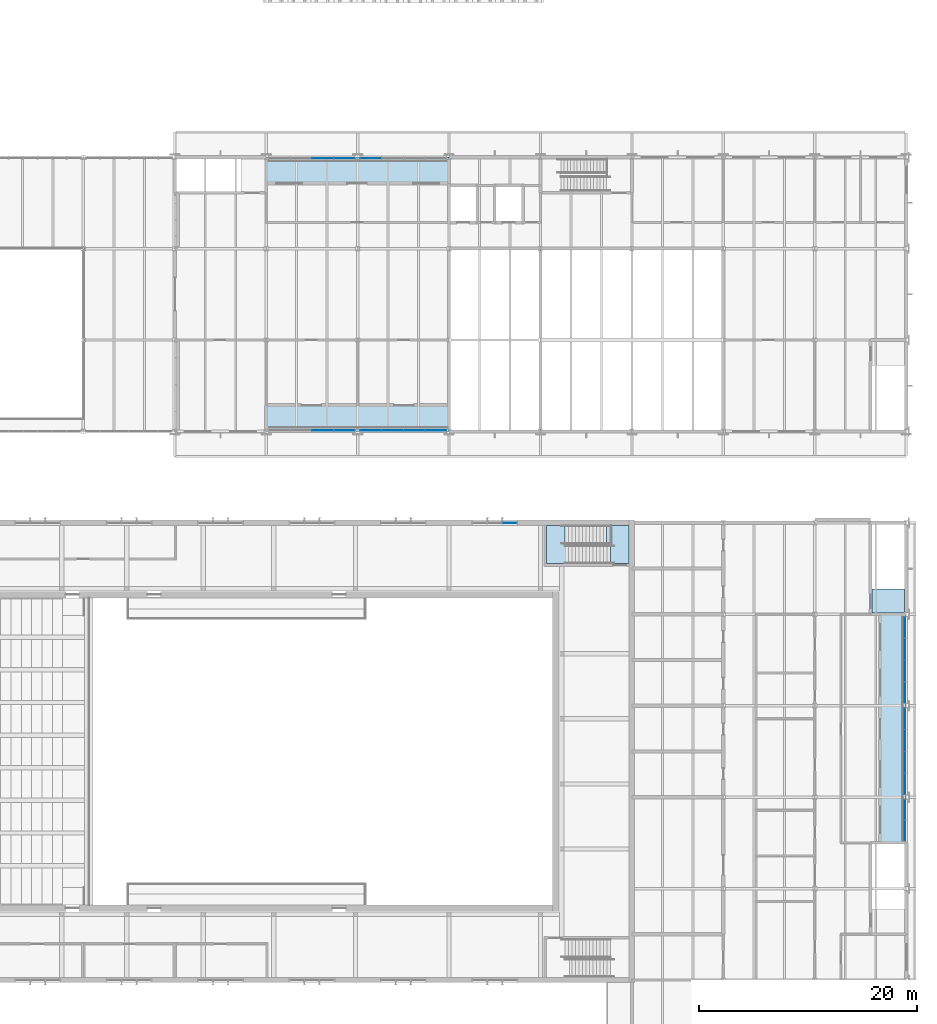
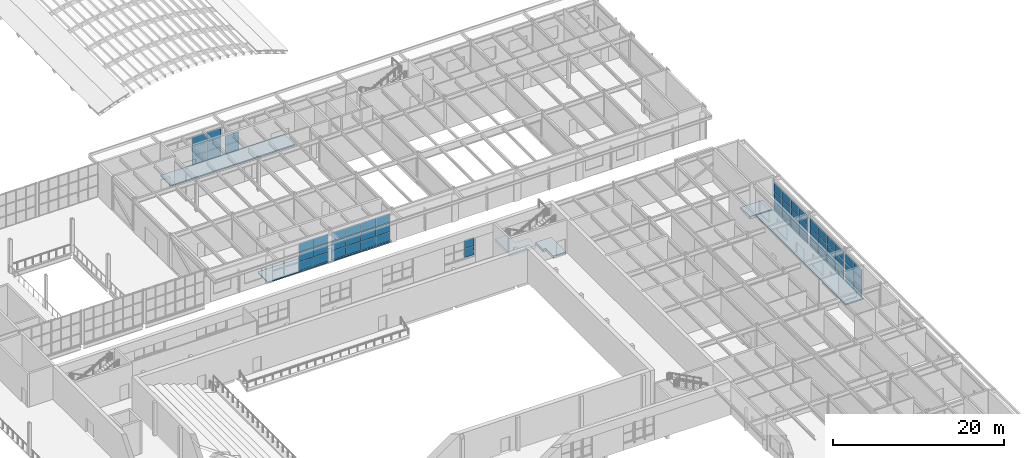
# One storey, part 64 of 116: 58 plates, 6 slabs, 9 elements without a shape of their own.
"""IFC4 building model written with IfcOpenShell, lengths in metres."""

from ifc_helpers import new_model, si_unit, direction, frame, origin, origin_2d, place, context, subcontext, project, spatial, polyline, rectangle, outline, extrude, material, layer, layer_set, type_object, element, aggregate, save


model = new_model("IFC4")

# Units and contexts
model_context = context("Model", 3, precision=1e-05, world=origin(), true_north=direction((0.0, 1.0)))
body_context = subcontext(model_context, "Body", "Model", "MODEL_VIEW")
ifc_project = project(units=[si_unit("LENGTHUNIT", "METRE"), si_unit("AREAUNIT", "SQUARE_METRE"), si_unit("VOLUMEUNIT", "CUBIC_METRE"), si_unit("PLANEANGLEUNIT", "RADIAN"), si_unit("MASSUNIT", "GRAM", prefix="KILO")], contexts=[model_context])

# Site, building, storey
site_placement = place(None, origin())
site = spatial("IfcSite", under=ifc_project, at=site_placement, CompositionType="ELEMENT")
building_placement = place(site_placement, origin())
building = spatial("IfcBuilding", under=site, at=building_placement, Name="Ljudholm Concert House", CompositionType="ELEMENT")
storey_placement = place(building_placement, frame((0.0, 0.0, 10.199951171875)))
storey = spatial("IfcBuildingStorey", under=building, at=storey_placement, Name="L02", CompositionType="ELEMENT", Elevation=10.199951171875)

# Slabs
ifc_material_1 = material(Name="Concrete 5,000 psi", Category="concrete")
ifc_layer_1 = layer(ifc_material_1, 0.179931640625)
ifc_layer_set_1 = layer_set([ifc_layer_1], Name="Concrete 5,000 psi")
slab_type_1 = type_object("IfcSlabType", Name="COMPOSITE FLOOR SLAB 180 EXTERNAL", PredefinedType="FLOOR", material=ifc_layer_set_1)
slab_1_placement = place(storey_placement, frame((0.0, 0.0, -0.179931640625)))
element("IfcSlab", 1, at=slab_1_placement, inside=storey, type_object=slab_type_1, Name="Loggia floor slab", PredefinedType="FLOOR", context=body_context, shape_type="SweptSolid", body=[
    extrude(outline(polyline([(119.199951171875, 67.0), (121.60009765625, 67.0), (121.60009765625, 88.0), (119.199951171875, 88.0), (119.199951171875, 67.0)])), origin(), (0.0, 0.0, 1.0), 0.179931640625),
])
slab_2_placement = place(storey_placement, frame((0.0, 0.0, -0.179931640625)))
element("IfcSlab", 2, at=slab_2_placement, inside=storey, type_object=slab_type_1, Name="Loggia floor slab", PredefinedType="FLOOR", context=body_context, shape_type="SweptSolid", body=[
    extrude(outline(polyline([(62.800048828125, 104.800048828125), (79.60009765625, 104.800048828125), (79.60009765625, 107.199951171875), (62.800048828125, 107.199951171875), (62.800048828125, 104.800048828125)])), origin(), (0.0, 0.0, 1.0), 0.179931640625),
])
slab_3_placement = place(storey_placement, frame((0.0, 0.0, -0.179931640625)))
element("IfcSlab", 3, at=slab_3_placement, inside=storey, type_object=slab_type_1, Name="Loggia floor slab", PredefinedType="FLOOR", context=body_context, shape_type="SweptSolid", body=[
    extrude(outline(polyline([(62.800048828125, 127.60009765625), (79.60009765625, 127.60009765625), (79.60009765625, 130.0), (62.800048828125, 130.0), (62.800048828125, 127.60009765625)])), origin(), (0.0, 0.0, 1.0), 0.179931640625),
])

# Curtain wall, plates
ifc_material_2 = material(Name="Aluminium curtain wall with impact-rated laminated glass", Category="aluminium")
curtain_wall_type_1 = type_object("IfcCurtainWallType", Name="CURTAIN WALL 1400", PredefinedType="NOTDEFINED", material=ifc_material_2)
curtain_wall_1_placement = place(storey_placement, origin())
curtain_wall_1 = element("IfcCurtainWall", 4, at=curtain_wall_1_placement, inside=storey, type_object=curtain_wall_type_1, Name="Promenade curtain wall", PredefinedType="NOTDEFINED")
ifc_material_3 = material(Name="Impact-rated laminated glass", Category="glass")
ifc_layer_2 = layer(ifc_material_3, 0.028076171875)
ifc_layer_set_2 = layer_set([ifc_layer_2], Name="Impact-rated laminated glass")
plate_type_1 = type_object("IfcPlateType", Name="CURTAIN PANEL 28", PredefinedType="CURTAIN_PANEL", material=ifc_layer_set_2)
plate_1_placement = place(storey_placement, frame((85.1650390625, 96.39990234375, 0.9599609375), z_axis=(0.0, 0.0, 1.0), x_axis=(1.0, 0.0, 0.0)))
plate_1 = element("IfcPlate", 5, at=plate_1_placement, type_object=plate_type_1, Name="Curtain wall panel", PredefinedType="CURTAIN_PANEL", context=body_context, shape_type="SweptSolid", body=[
    extrude(rectangle(XDim=1.2900390625, YDim=0.028076171875, at=origin_2d()), origin(), (0.0, 0.0, 1.0), 1.2099609375),
])
plate_2_placement = place(storey_placement, frame((85.1650390625, 96.39990234375, 2.22998046875), z_axis=(0.0, 0.0, 1.0), x_axis=(1.0, 0.0, 0.0)))
plate_2 = element("IfcPlate", 6, at=plate_2_placement, type_object=plate_type_1, Name="Curtain wall panel", PredefinedType="CURTAIN_PANEL", context=body_context, shape_type="SweptSolid", body=[
    extrude(rectangle(XDim=1.2900390625, YDim=0.028076171875, at=origin_2d()), origin(), (0.0, 0.0, 1.0), 1.2099609375),
])
aggregate(curtain_wall_1, [plate_1, plate_2])

ifc_material_4 = material(Name="Aluminium curtain wall with fixed aluminium storm louvre blades, timber-grain finish", Category="aluminium")
curtain_wall_type_2 = type_object("IfcCurtainWallType", Name="CURTAIN WALL 2000", PredefinedType="NOTDEFINED", material=ifc_material_4)
curtain_wall_2_placement = place(storey_placement, origin())
curtain_wall_2 = element("IfcCurtainWall", 7, at=curtain_wall_2_placement, inside=storey, type_object=curtain_wall_type_2, Name="Storm louvre screen", PredefinedType="NOTDEFINED")
ifc_material_5 = material(Name="Fixed aluminium storm louvre blades, timber-grain finish", Category="aluminium")
ifc_layer_3 = layer(ifc_material_5, 0.030029296875)
ifc_layer_set_3 = layer_set([ifc_layer_3], Name="Fixed aluminium storm louvre blades, timber-grain finish")
plate_type_2 = type_object("IfcPlateType", Name="CURTAIN PANEL 30", PredefinedType="CURTAIN_PANEL", material=ifc_layer_set_3)
plate_3_placement = place(storey_placement, frame((121.5, 68.1298828125, 0.06005859375), z_axis=(0.0, 0.0, 1.0), x_axis=(0.0, 1.0, 0.0)))
plate_3 = element("IfcPlate", 8, at=plate_3_placement, type_object=plate_type_2, Name="Curtain wall panel", PredefinedType="CURTAIN_PANEL", context=body_context, shape_type="SweptSolid", body=[
    extrude(rectangle(XDim=1.840087890625, YDim=0.030029296875, at=origin_2d()), origin(), (0.0, 0.0, 1.0), 1.272216796875),
])
plate_4_placement = place(storey_placement, frame((121.5, 68.1298828125, 1.392333984375), z_axis=(0.0, 0.0, 1.0), x_axis=(0.0, 1.0, 0.0)))
plate_4 = element("IfcPlate", 9, at=plate_4_placement, type_object=plate_type_2, Name="Curtain wall panel", PredefinedType="CURTAIN_PANEL", context=body_context, shape_type="SweptSolid", body=[
    extrude(rectangle(XDim=1.840087890625, YDim=0.030029296875, at=origin_2d()), origin(), (0.0, 0.0, 1.0), 1.30224609375),
])
plate_5_placement = place(storey_placement, frame((121.5, 68.1298828125, 2.75439453125), z_axis=(0.0, 0.0, 1.0), x_axis=(0.0, 1.0, 0.0)))
plate_5 = element("IfcPlate", 10, at=plate_5_placement, type_object=plate_type_2, Name="Curtain wall panel", PredefinedType="CURTAIN_PANEL", context=body_context, shape_type="SweptSolid", body=[
    extrude(rectangle(XDim=1.840087890625, YDim=0.030029296875, at=origin_2d()), origin(), (0.0, 0.0, 1.0), 1.272216796875),
])
plate_6_placement = place(storey_placement, frame((121.5, 70.030029296875, 0.06005859375), z_axis=(0.0, 0.0, 1.0), x_axis=(0.0, 1.0, 0.0)))
plate_6 = element("IfcPlate", 11, at=plate_6_placement, type_object=plate_type_2, Name="Curtain wall panel", PredefinedType="CURTAIN_PANEL", context=body_context, shape_type="SweptSolid", body=[
    extrude(rectangle(XDim=1.840087890625, YDim=0.030029296875, at=origin_2d()), origin(), (0.0, 0.0, 1.0), 1.272216796875),
])
plate_7_placement = place(storey_placement, frame((121.5, 70.030029296875, 1.392333984375), z_axis=(0.0, 0.0, 1.0), x_axis=(0.0, 1.0, 0.0)))
plate_7 = element("IfcPlate", 12, at=plate_7_placement, type_object=plate_type_2, Name="Curtain wall panel", PredefinedType="CURTAIN_PANEL", context=body_context, shape_type="SweptSolid", body=[
    extrude(rectangle(XDim=1.840087890625, YDim=0.030029296875, at=origin_2d()), origin(), (0.0, 0.0, 1.0), 1.30224609375),
])
plate_8_placement = place(storey_placement, frame((121.5, 70.030029296875, 2.75439453125), z_axis=(0.0, 0.0, 1.0), x_axis=(0.0, 1.0, 0.0)))
plate_8 = element("IfcPlate", 13, at=plate_8_placement, type_object=plate_type_2, Name="Curtain wall panel", PredefinedType="CURTAIN_PANEL", context=body_context, shape_type="SweptSolid", body=[
    extrude(rectangle(XDim=1.840087890625, YDim=0.030029296875, at=origin_2d()), origin(), (0.0, 0.0, 1.0), 1.272216796875),
])
aggregate(curtain_wall_2, [plate_3, plate_4, plate_5, plate_6, plate_7, plate_8])

curtain_wall_3_placement = place(storey_placement, origin())
curtain_wall_3 = element("IfcCurtainWall", 14, at=curtain_wall_3_placement, inside=storey, type_object=curtain_wall_type_2, Name="Storm louvre screen", PredefinedType="NOTDEFINED")
plate_9_placement = place(storey_placement, frame((121.5, 72.407470703125, 0.06005859375), z_axis=(0.0, 0.0, 1.0), x_axis=(0.0, 1.0, 0.0)))
plate_9 = element("IfcPlate", 15, at=plate_9_placement, type_object=plate_type_2, Name="Curtain wall panel", PredefinedType="CURTAIN_PANEL", context=body_context, shape_type="SweptSolid", body=[
    extrude(rectangle(XDim=1.9150390625, YDim=0.030029296875, at=origin_2d()), origin(), (0.0, 0.0, 1.0), 1.272216796875),
])
plate_10_placement = place(storey_placement, frame((121.5, 72.407470703125, 1.392333984375), z_axis=(0.0, 0.0, 1.0), x_axis=(0.0, 1.0, 0.0)))
plate_10 = element("IfcPlate", 16, at=plate_10_placement, type_object=plate_type_2, Name="Curtain wall panel", PredefinedType="CURTAIN_PANEL", context=body_context, shape_type="SweptSolid", body=[
    extrude(rectangle(XDim=1.9150390625, YDim=0.030029296875, at=origin_2d()), origin(), (0.0, 0.0, 1.0), 1.30224609375),
])
plate_11_placement = place(storey_placement, frame((121.5, 72.407470703125, 2.75439453125), z_axis=(0.0, 0.0, 1.0), x_axis=(0.0, 1.0, 0.0)))
plate_11 = element("IfcPlate", 17, at=plate_11_placement, type_object=plate_type_2, Name="Curtain wall panel", PredefinedType="CURTAIN_PANEL", context=body_context, shape_type="SweptSolid", body=[
    extrude(rectangle(XDim=1.9150390625, YDim=0.030029296875, at=origin_2d()), origin(), (0.0, 0.0, 1.0), 1.272216796875),
])
plate_12_placement = place(storey_placement, frame((121.5, 74.3974609375, 0.06005859375), z_axis=(0.0, 0.0, 1.0), x_axis=(0.0, 1.0, 0.0)))
plate_12 = element("IfcPlate", 18, at=plate_12_placement, type_object=plate_type_2, Name="Curtain wall panel", PredefinedType="CURTAIN_PANEL", context=body_context, shape_type="SweptSolid", body=[
    extrude(rectangle(XDim=1.945068359375, YDim=0.030029296875, at=origin_2d()), origin(), (0.0, 0.0, 1.0), 1.272216796875),
])
plate_13_placement = place(storey_placement, frame((121.5, 74.3974609375, 1.392333984375), z_axis=(0.0, 0.0, 1.0), x_axis=(0.0, 1.0, 0.0)))
plate_13 = element("IfcPlate", 19, at=plate_13_placement, type_object=plate_type_2, Name="Curtain wall panel", PredefinedType="CURTAIN_PANEL", context=body_context, shape_type="SweptSolid", body=[
    extrude(rectangle(XDim=1.945068359375, YDim=0.030029296875, at=origin_2d()), origin(), (0.0, 0.0, 1.0), 1.30224609375),
])
plate_14_placement = place(storey_placement, frame((121.5, 74.3974609375, 2.75439453125), z_axis=(0.0, 0.0, 1.0), x_axis=(0.0, 1.0, 0.0)))
plate_14 = element("IfcPlate", 20, at=plate_14_placement, type_object=plate_type_2, Name="Curtain wall panel", PredefinedType="CURTAIN_PANEL", context=body_context, shape_type="SweptSolid", body=[
    extrude(rectangle(XDim=1.945068359375, YDim=0.030029296875, at=origin_2d()), origin(), (0.0, 0.0, 1.0), 1.272216796875),
])
plate_15_placement = place(storey_placement, frame((121.5, 76.402587890625, 0.06005859375), z_axis=(0.0, 0.0, 1.0), x_axis=(0.0, 1.0, 0.0)))
plate_15 = element("IfcPlate", 21, at=plate_15_placement, type_object=plate_type_2, Name="Curtain wall panel", PredefinedType="CURTAIN_PANEL", context=body_context, shape_type="SweptSolid", body=[
    extrude(rectangle(XDim=1.945068359375, YDim=0.030029296875, at=origin_2d()), origin(), (0.0, 0.0, 1.0), 1.272216796875),
])
plate_16_placement = place(storey_placement, frame((121.5, 76.402587890625, 1.392333984375), z_axis=(0.0, 0.0, 1.0), x_axis=(0.0, 1.0, 0.0)))
plate_16 = element("IfcPlate", 22, at=plate_16_placement, type_object=plate_type_2, Name="Curtain wall panel", PredefinedType="CURTAIN_PANEL", context=body_context, shape_type="SweptSolid", body=[
    extrude(rectangle(XDim=1.945068359375, YDim=0.030029296875, at=origin_2d()), origin(), (0.0, 0.0, 1.0), 1.30224609375),
])
plate_17_placement = place(storey_placement, frame((121.5, 76.402587890625, 2.75439453125), z_axis=(0.0, 0.0, 1.0), x_axis=(0.0, 1.0, 0.0)))
plate_17 = element("IfcPlate", 23, at=plate_17_placement, type_object=plate_type_2, Name="Curtain wall panel", PredefinedType="CURTAIN_PANEL", context=body_context, shape_type="SweptSolid", body=[
    extrude(rectangle(XDim=1.945068359375, YDim=0.030029296875, at=origin_2d()), origin(), (0.0, 0.0, 1.0), 1.272216796875),
])
plate_18_placement = place(storey_placement, frame((121.5, 78.392578125, 0.06005859375), z_axis=(0.0, 0.0, 1.0), x_axis=(0.0, 1.0, 0.0)))
plate_18 = element("IfcPlate", 24, at=plate_18_placement, type_object=plate_type_2, Name="Curtain wall panel", PredefinedType="CURTAIN_PANEL", context=body_context, shape_type="SweptSolid", body=[
    extrude(rectangle(XDim=1.9150390625, YDim=0.030029296875, at=origin_2d()), origin(), (0.0, 0.0, 1.0), 1.272216796875),
])
plate_19_placement = place(storey_placement, frame((121.5, 78.392578125, 1.392333984375), z_axis=(0.0, 0.0, 1.0), x_axis=(0.0, 1.0, 0.0)))
plate_19 = element("IfcPlate", 25, at=plate_19_placement, type_object=plate_type_2, Name="Curtain wall panel", PredefinedType="CURTAIN_PANEL", context=body_context, shape_type="SweptSolid", body=[
    extrude(rectangle(XDim=1.9150390625, YDim=0.030029296875, at=origin_2d()), origin(), (0.0, 0.0, 1.0), 1.30224609375),
])
plate_20_placement = place(storey_placement, frame((121.5, 78.392578125, 2.75439453125), z_axis=(0.0, 0.0, 1.0), x_axis=(0.0, 1.0, 0.0)))
plate_20 = element("IfcPlate", 26, at=plate_20_placement, type_object=plate_type_2, Name="Curtain wall panel", PredefinedType="CURTAIN_PANEL", context=body_context, shape_type="SweptSolid", body=[
    extrude(rectangle(XDim=1.9150390625, YDim=0.030029296875, at=origin_2d()), origin(), (0.0, 0.0, 1.0), 1.272216796875),
])
aggregate(curtain_wall_3, [plate_9, plate_10, plate_11, plate_12, plate_13, plate_14, plate_15, plate_16, plate_17, plate_18, plate_19, plate_20])

curtain_wall_4_placement = place(storey_placement, origin())
curtain_wall_4 = element("IfcCurtainWall", 27, at=curtain_wall_4_placement, inside=storey, type_object=curtain_wall_type_2, Name="Storm louvre screen", PredefinedType="NOTDEFINED")
plate_21_placement = place(storey_placement, frame((121.5, 80.8076171875, 0.06005859375), z_axis=(0.0, 0.0, 1.0), x_axis=(0.0, 1.0, 0.0)))
plate_21 = element("IfcPlate", 28, at=plate_21_placement, type_object=plate_type_2, Name="Curtain wall panel", PredefinedType="CURTAIN_PANEL", context=body_context, shape_type="SweptSolid", body=[
    extrude(rectangle(XDim=1.9150390625, YDim=0.030029296875, at=origin_2d()), origin(), (0.0, 0.0, 1.0), 1.272216796875),
])
plate_22_placement = place(storey_placement, frame((121.5, 80.8076171875, 1.392333984375), z_axis=(0.0, 0.0, 1.0), x_axis=(0.0, 1.0, 0.0)))
plate_22 = element("IfcPlate", 29, at=plate_22_placement, type_object=plate_type_2, Name="Curtain wall panel", PredefinedType="CURTAIN_PANEL", context=body_context, shape_type="SweptSolid", body=[
    extrude(rectangle(XDim=1.9150390625, YDim=0.030029296875, at=origin_2d()), origin(), (0.0, 0.0, 1.0), 1.30224609375),
])
plate_23_placement = place(storey_placement, frame((121.5, 80.8076171875, 2.75439453125), z_axis=(0.0, 0.0, 1.0), x_axis=(0.0, 1.0, 0.0)))
plate_23 = element("IfcPlate", 30, at=plate_23_placement, type_object=plate_type_2, Name="Curtain wall panel", PredefinedType="CURTAIN_PANEL", context=body_context, shape_type="SweptSolid", body=[
    extrude(rectangle(XDim=1.9150390625, YDim=0.030029296875, at=origin_2d()), origin(), (0.0, 0.0, 1.0), 1.272216796875),
])
plate_24_placement = place(storey_placement, frame((121.5, 82.797607421875, 0.06005859375), z_axis=(0.0, 0.0, 1.0), x_axis=(0.0, 1.0, 0.0)))
plate_24 = element("IfcPlate", 31, at=plate_24_placement, type_object=plate_type_2, Name="Curtain wall panel", PredefinedType="CURTAIN_PANEL", context=body_context, shape_type="SweptSolid", body=[
    extrude(rectangle(XDim=1.945068359375, YDim=0.030029296875, at=origin_2d()), origin(), (0.0, 0.0, 1.0), 1.272216796875),
])
plate_25_placement = place(storey_placement, frame((121.5, 82.797607421875, 1.392333984375), z_axis=(0.0, 0.0, 1.0), x_axis=(0.0, 1.0, 0.0)))
plate_25 = element("IfcPlate", 32, at=plate_25_placement, type_object=plate_type_2, Name="Curtain wall panel", PredefinedType="CURTAIN_PANEL", context=body_context, shape_type="SweptSolid", body=[
    extrude(rectangle(XDim=1.945068359375, YDim=0.030029296875, at=origin_2d()), origin(), (0.0, 0.0, 1.0), 1.30224609375),
])
plate_26_placement = place(storey_placement, frame((121.5, 82.797607421875, 2.75439453125), z_axis=(0.0, 0.0, 1.0), x_axis=(0.0, 1.0, 0.0)))
plate_26 = element("IfcPlate", 33, at=plate_26_placement, type_object=plate_type_2, Name="Curtain wall panel", PredefinedType="CURTAIN_PANEL", context=body_context, shape_type="SweptSolid", body=[
    extrude(rectangle(XDim=1.945068359375, YDim=0.030029296875, at=origin_2d()), origin(), (0.0, 0.0, 1.0), 1.272216796875),
])
plate_27_placement = place(storey_placement, frame((121.5, 84.802490234375, 0.06005859375), z_axis=(0.0, 0.0, 1.0), x_axis=(0.0, 1.0, 0.0)))
plate_27 = element("IfcPlate", 34, at=plate_27_placement, type_object=plate_type_2, Name="Curtain wall panel", PredefinedType="CURTAIN_PANEL", context=body_context, shape_type="SweptSolid", body=[
    extrude(rectangle(XDim=1.945068359375, YDim=0.030029296875, at=origin_2d()), origin(), (0.0, 0.0, 1.0), 1.272216796875),
])
plate_28_placement = place(storey_placement, frame((121.5, 84.802490234375, 1.392333984375), z_axis=(0.0, 0.0, 1.0), x_axis=(0.0, 1.0, 0.0)))
plate_28 = element("IfcPlate", 35, at=plate_28_placement, type_object=plate_type_2, Name="Curtain wall panel", PredefinedType="CURTAIN_PANEL", context=body_context, shape_type="SweptSolid", body=[
    extrude(rectangle(XDim=1.945068359375, YDim=0.030029296875, at=origin_2d()), origin(), (0.0, 0.0, 1.0), 1.30224609375),
])
plate_29_placement = place(storey_placement, frame((121.5, 84.802490234375, 2.75439453125), z_axis=(0.0, 0.0, 1.0), x_axis=(0.0, 1.0, 0.0)))
plate_29 = element("IfcPlate", 36, at=plate_29_placement, type_object=plate_type_2, Name="Curtain wall panel", PredefinedType="CURTAIN_PANEL", context=body_context, shape_type="SweptSolid", body=[
    extrude(rectangle(XDim=1.945068359375, YDim=0.030029296875, at=origin_2d()), origin(), (0.0, 0.0, 1.0), 1.272216796875),
])
plate_30_placement = place(storey_placement, frame((121.5, 86.79248046875, 0.06005859375), z_axis=(0.0, 0.0, 1.0), x_axis=(0.0, 1.0, 0.0)))
plate_30 = element("IfcPlate", 37, at=plate_30_placement, type_object=plate_type_2, Name="Curtain wall panel", PredefinedType="CURTAIN_PANEL", context=body_context, shape_type="SweptSolid", body=[
    extrude(rectangle(XDim=1.9150390625, YDim=0.030029296875, at=origin_2d()), origin(), (0.0, 0.0, 1.0), 1.272216796875),
])
plate_31_placement = place(storey_placement, frame((121.5, 86.79248046875, 1.392333984375), z_axis=(0.0, 0.0, 1.0), x_axis=(0.0, 1.0, 0.0)))
plate_31 = element("IfcPlate", 38, at=plate_31_placement, type_object=plate_type_2, Name="Curtain wall panel", PredefinedType="CURTAIN_PANEL", context=body_context, shape_type="SweptSolid", body=[
    extrude(rectangle(XDim=1.9150390625, YDim=0.030029296875, at=origin_2d()), origin(), (0.0, 0.0, 1.0), 1.30224609375),
])
plate_32_placement = place(storey_placement, frame((121.5, 86.79248046875, 2.75439453125), z_axis=(0.0, 0.0, 1.0), x_axis=(0.0, 1.0, 0.0)))
plate_32 = element("IfcPlate", 39, at=plate_32_placement, type_object=plate_type_2, Name="Curtain wall panel", PredefinedType="CURTAIN_PANEL", context=body_context, shape_type="SweptSolid", body=[
    extrude(rectangle(XDim=1.9150390625, YDim=0.030029296875, at=origin_2d()), origin(), (0.0, 0.0, 1.0), 1.272216796875),
])
aggregate(curtain_wall_4, [plate_21, plate_22, plate_23, plate_24, plate_25, plate_26, plate_27, plate_28, plate_29, plate_30, plate_31, plate_32])

curtain_wall_5_placement = place(storey_placement, origin())
curtain_wall_5 = element("IfcCurtainWall", 40, at=curtain_wall_5_placement, inside=storey, type_object=curtain_wall_type_2, Name="Storm louvre screen", PredefinedType="NOTDEFINED")
plate_33_placement = place(storey_placement, frame((68.00244140625, 104.89990234375, 0.06005859375), z_axis=(0.0, 0.0, 1.0), x_axis=(1.0, 0.0, 0.0)))
plate_33 = element("IfcPlate", 41, at=plate_33_placement, type_object=plate_type_2, Name="Curtain wall panel", PredefinedType="CURTAIN_PANEL", context=body_context, shape_type="SweptSolid", body=[
    extrude(rectangle(XDim=1.945068359375, YDim=0.030029296875, at=origin_2d()), origin(), (0.0, 0.0, 1.0), 1.245849609375),
])
plate_34_placement = place(storey_placement, frame((68.00244140625, 104.89990234375, 1.365966796875), z_axis=(0.0, 0.0, 1.0), x_axis=(1.0, 0.0, 0.0)))
plate_34 = element("IfcPlate", 42, at=plate_34_placement, type_object=plate_type_2, Name="Curtain wall panel", PredefinedType="CURTAIN_PANEL", context=body_context, shape_type="SweptSolid", body=[
    extrude(rectangle(XDim=1.945068359375, YDim=0.030029296875, at=origin_2d()), origin(), (0.0, 0.0, 1.0), 1.27587890625),
])
plate_35_placement = place(storey_placement, frame((68.00244140625, 104.89990234375, 2.7021484375), z_axis=(0.0, 0.0, 1.0), x_axis=(1.0, 0.0, 0.0)))
plate_35 = element("IfcPlate", 43, at=plate_35_placement, type_object=plate_type_2, Name="Curtain wall panel", PredefinedType="CURTAIN_PANEL", context=body_context, shape_type="SweptSolid", body=[
    extrude(rectangle(XDim=1.945068359375, YDim=0.030029296875, at=origin_2d()), origin(), (0.0, 0.0, 1.0), 1.245849609375),
])
plate_36_placement = place(storey_placement, frame((69.992431640625, 104.89990234375, 0.06005859375), z_axis=(0.0, 0.0, 1.0), x_axis=(1.0, 0.0, 0.0)))
plate_36 = element("IfcPlate", 44, at=plate_36_placement, type_object=plate_type_2, Name="Curtain wall panel", PredefinedType="CURTAIN_PANEL", context=body_context, shape_type="SweptSolid", body=[
    extrude(rectangle(XDim=1.9150390625, YDim=0.030029296875, at=origin_2d()), origin(), (0.0, 0.0, 1.0), 1.245849609375),
])
plate_37_placement = place(storey_placement, frame((69.992431640625, 104.89990234375, 1.365966796875), z_axis=(0.0, 0.0, 1.0), x_axis=(1.0, 0.0, 0.0)))
plate_37 = element("IfcPlate", 45, at=plate_37_placement, type_object=plate_type_2, Name="Curtain wall panel", PredefinedType="CURTAIN_PANEL", context=body_context, shape_type="SweptSolid", body=[
    extrude(rectangle(XDim=1.9150390625, YDim=0.030029296875, at=origin_2d()), origin(), (0.0, 0.0, 1.0), 1.27587890625),
])
plate_38_placement = place(storey_placement, frame((69.992431640625, 104.89990234375, 2.7021484375), z_axis=(0.0, 0.0, 1.0), x_axis=(1.0, 0.0, 0.0)))
plate_38 = element("IfcPlate", 46, at=plate_38_placement, type_object=plate_type_2, Name="Curtain wall panel", PredefinedType="CURTAIN_PANEL", context=body_context, shape_type="SweptSolid", body=[
    extrude(rectangle(XDim=1.9150390625, YDim=0.030029296875, at=origin_2d()), origin(), (0.0, 0.0, 1.0), 1.245849609375),
])
aggregate(curtain_wall_5, [plate_33, plate_34, plate_35, plate_36, plate_37, plate_38])

curtain_wall_6_placement = place(storey_placement, origin())
curtain_wall_6 = element("IfcCurtainWall", 47, at=curtain_wall_6_placement, inside=storey, type_object=curtain_wall_type_2, Name="Storm louvre screen", PredefinedType="NOTDEFINED")
plate_39_placement = place(storey_placement, frame((72.407470703125, 104.89990234375, 0.06005859375), z_axis=(0.0, 0.0, 1.0), x_axis=(1.0, 0.0, 0.0)))
plate_39 = element("IfcPlate", 48, at=plate_39_placement, type_object=plate_type_2, Name="Curtain wall panel", PredefinedType="CURTAIN_PANEL", context=body_context, shape_type="SweptSolid", body=[
    extrude(rectangle(XDim=1.9150390625, YDim=0.030029296875, at=origin_2d()), origin(), (0.0, 0.0, 1.0), 1.245849609375),
])
plate_40_placement = place(storey_placement, frame((72.407470703125, 104.89990234375, 1.365966796875), z_axis=(0.0, 0.0, 1.0), x_axis=(1.0, 0.0, 0.0)))
plate_40 = element("IfcPlate", 49, at=plate_40_placement, type_object=plate_type_2, Name="Curtain wall panel", PredefinedType="CURTAIN_PANEL", context=body_context, shape_type="SweptSolid", body=[
    extrude(rectangle(XDim=1.9150390625, YDim=0.030029296875, at=origin_2d()), origin(), (0.0, 0.0, 1.0), 1.27587890625),
])
plate_41_placement = place(storey_placement, frame((72.407470703125, 104.89990234375, 2.7021484375), z_axis=(0.0, 0.0, 1.0), x_axis=(1.0, 0.0, 0.0)))
plate_41 = element("IfcPlate", 50, at=plate_41_placement, type_object=plate_type_2, Name="Curtain wall panel", PredefinedType="CURTAIN_PANEL", context=body_context, shape_type="SweptSolid", body=[
    extrude(rectangle(XDim=1.9150390625, YDim=0.030029296875, at=origin_2d()), origin(), (0.0, 0.0, 1.0), 1.245849609375),
])
plate_42_placement = place(storey_placement, frame((74.3974609375, 104.89990234375, 0.06005859375), z_axis=(0.0, 0.0, 1.0), x_axis=(1.0, 0.0, 0.0)))
plate_42 = element("IfcPlate", 51, at=plate_42_placement, type_object=plate_type_2, Name="Curtain wall panel", PredefinedType="CURTAIN_PANEL", context=body_context, shape_type="SweptSolid", body=[
    extrude(rectangle(XDim=1.945068359375, YDim=0.030029296875, at=origin_2d()), origin(), (0.0, 0.0, 1.0), 1.245849609375),
])
plate_43_placement = place(storey_placement, frame((74.3974609375, 104.89990234375, 1.365966796875), z_axis=(0.0, 0.0, 1.0), x_axis=(1.0, 0.0, 0.0)))
plate_43 = element("IfcPlate", 52, at=plate_43_placement, type_object=plate_type_2, Name="Curtain wall panel", PredefinedType="CURTAIN_PANEL", context=body_context, shape_type="SweptSolid", body=[
    extrude(rectangle(XDim=1.945068359375, YDim=0.030029296875, at=origin_2d()), origin(), (0.0, 0.0, 1.0), 1.27587890625),
])
plate_44_placement = place(storey_placement, frame((74.3974609375, 104.89990234375, 2.7021484375), z_axis=(0.0, 0.0, 1.0), x_axis=(1.0, 0.0, 0.0)))
plate_44 = element("IfcPlate", 53, at=plate_44_placement, type_object=plate_type_2, Name="Curtain wall panel", PredefinedType="CURTAIN_PANEL", context=body_context, shape_type="SweptSolid", body=[
    extrude(rectangle(XDim=1.945068359375, YDim=0.030029296875, at=origin_2d()), origin(), (0.0, 0.0, 1.0), 1.245849609375),
])
plate_45_placement = place(storey_placement, frame((76.402587890625, 104.89990234375, 0.06005859375), z_axis=(0.0, 0.0, 1.0), x_axis=(1.0, 0.0, 0.0)))
plate_45 = element("IfcPlate", 54, at=plate_45_placement, type_object=plate_type_2, Name="Curtain wall panel", PredefinedType="CURTAIN_PANEL", context=body_context, shape_type="SweptSolid", body=[
    extrude(rectangle(XDim=1.945068359375, YDim=0.030029296875, at=origin_2d()), origin(), (0.0, 0.0, 1.0), 1.245849609375),
])
plate_46_placement = place(storey_placement, frame((76.402587890625, 104.89990234375, 1.365966796875), z_axis=(0.0, 0.0, 1.0), x_axis=(1.0, 0.0, 0.0)))
plate_46 = element("IfcPlate", 55, at=plate_46_placement, type_object=plate_type_2, Name="Curtain wall panel", PredefinedType="CURTAIN_PANEL", context=body_context, shape_type="SweptSolid", body=[
    extrude(rectangle(XDim=1.945068359375, YDim=0.030029296875, at=origin_2d()), origin(), (0.0, 0.0, 1.0), 1.27587890625),
])
plate_47_placement = place(storey_placement, frame((76.402587890625, 104.89990234375, 2.7021484375), z_axis=(0.0, 0.0, 1.0), x_axis=(1.0, 0.0, 0.0)))
plate_47 = element("IfcPlate", 56, at=plate_47_placement, type_object=plate_type_2, Name="Curtain wall panel", PredefinedType="CURTAIN_PANEL", context=body_context, shape_type="SweptSolid", body=[
    extrude(rectangle(XDim=1.945068359375, YDim=0.030029296875, at=origin_2d()), origin(), (0.0, 0.0, 1.0), 1.245849609375),
])
plate_48_placement = place(storey_placement, frame((78.392578125, 104.89990234375, 0.06005859375), z_axis=(0.0, 0.0, 1.0), x_axis=(1.0, 0.0, 0.0)))
plate_48 = element("IfcPlate", 57, at=plate_48_placement, type_object=plate_type_2, Name="Curtain wall panel", PredefinedType="CURTAIN_PANEL", context=body_context, shape_type="SweptSolid", body=[
    extrude(rectangle(XDim=1.9150390625, YDim=0.030029296875, at=origin_2d()), origin(), (0.0, 0.0, 1.0), 1.245849609375),
])
plate_49_placement = place(storey_placement, frame((78.392578125, 104.89990234375, 1.365966796875), z_axis=(0.0, 0.0, 1.0), x_axis=(1.0, 0.0, 0.0)))
plate_49 = element("IfcPlate", 58, at=plate_49_placement, type_object=plate_type_2, Name="Curtain wall panel", PredefinedType="CURTAIN_PANEL", context=body_context, shape_type="SweptSolid", body=[
    extrude(rectangle(XDim=1.9150390625, YDim=0.030029296875, at=origin_2d()), origin(), (0.0, 0.0, 1.0), 1.27587890625),
])
plate_50_placement = place(storey_placement, frame((78.392578125, 104.89990234375, 2.7021484375), z_axis=(0.0, 0.0, 1.0), x_axis=(1.0, 0.0, 0.0)))
plate_50 = element("IfcPlate", 59, at=plate_50_placement, type_object=plate_type_2, Name="Curtain wall panel", PredefinedType="CURTAIN_PANEL", context=body_context, shape_type="SweptSolid", body=[
    extrude(rectangle(XDim=1.9150390625, YDim=0.030029296875, at=origin_2d()), origin(), (0.0, 0.0, 1.0), 1.245849609375),
])
aggregate(curtain_wall_6, [plate_39, plate_40, plate_41, plate_42, plate_43, plate_44, plate_45, plate_46, plate_47, plate_48, plate_49, plate_50])

curtain_wall_7_placement = place(storey_placement, origin())
curtain_wall_7 = element("IfcCurtainWall", 60, at=curtain_wall_7_placement, inside=storey, type_object=curtain_wall_type_2, Name="Storm louvre screen", PredefinedType="NOTDEFINED")
plate_51_placement = place(storey_placement, frame((68.00244140625, 129.89990234375, 0.06005859375), z_axis=(0.0, 0.0, 1.0), x_axis=(1.0, 0.0, 0.0)))
plate_51 = element("IfcPlate", 61, at=plate_51_placement, type_object=plate_type_2, Name="Curtain wall panel", PredefinedType="CURTAIN_PANEL", context=body_context, shape_type="SweptSolid", body=[
    extrude(rectangle(XDim=1.945068359375, YDim=0.030029296875, at=origin_2d()), origin(), (0.0, 0.0, 1.0), 1.245849609375),
])
plate_52_placement = place(storey_placement, frame((68.00244140625, 129.89990234375, 1.365966796875), z_axis=(0.0, 0.0, 1.0), x_axis=(1.0, 0.0, 0.0)))
plate_52 = element("IfcPlate", 62, at=plate_52_placement, type_object=plate_type_2, Name="Curtain wall panel", PredefinedType="CURTAIN_PANEL", context=body_context, shape_type="SweptSolid", body=[
    extrude(rectangle(XDim=1.945068359375, YDim=0.030029296875, at=origin_2d()), origin(), (0.0, 0.0, 1.0), 1.27587890625),
])
plate_53_placement = place(storey_placement, frame((68.00244140625, 129.89990234375, 2.7021484375), z_axis=(0.0, 0.0, 1.0), x_axis=(1.0, 0.0, 0.0)))
plate_53 = element("IfcPlate", 63, at=plate_53_placement, type_object=plate_type_2, Name="Curtain wall panel", PredefinedType="CURTAIN_PANEL", context=body_context, shape_type="SweptSolid", body=[
    extrude(rectangle(XDim=1.945068359375, YDim=0.030029296875, at=origin_2d()), origin(), (0.0, 0.0, 1.0), 1.245849609375),
])
plate_54_placement = place(storey_placement, frame((69.992431640625, 129.89990234375, 0.06005859375), z_axis=(0.0, 0.0, 1.0), x_axis=(1.0, 0.0, 0.0)))
plate_54 = element("IfcPlate", 64, at=plate_54_placement, type_object=plate_type_2, Name="Curtain wall panel", PredefinedType="CURTAIN_PANEL", context=body_context, shape_type="SweptSolid", body=[
    extrude(rectangle(XDim=1.9150390625, YDim=0.030029296875, at=origin_2d()), origin(), (0.0, 0.0, 1.0), 1.245849609375),
])
plate_55_placement = place(storey_placement, frame((69.992431640625, 129.89990234375, 1.365966796875), z_axis=(0.0, 0.0, 1.0), x_axis=(1.0, 0.0, 0.0)))
plate_55 = element("IfcPlate", 65, at=plate_55_placement, type_object=plate_type_2, Name="Curtain wall panel", PredefinedType="CURTAIN_PANEL", context=body_context, shape_type="SweptSolid", body=[
    extrude(rectangle(XDim=1.9150390625, YDim=0.030029296875, at=origin_2d()), origin(), (0.0, 0.0, 1.0), 1.27587890625),
])
plate_56_placement = place(storey_placement, frame((69.992431640625, 129.89990234375, 2.7021484375), z_axis=(0.0, 0.0, 1.0), x_axis=(1.0, 0.0, 0.0)))
plate_56 = element("IfcPlate", 66, at=plate_56_placement, type_object=plate_type_2, Name="Curtain wall panel", PredefinedType="CURTAIN_PANEL", context=body_context, shape_type="SweptSolid", body=[
    extrude(rectangle(XDim=1.9150390625, YDim=0.030029296875, at=origin_2d()), origin(), (0.0, 0.0, 1.0), 1.245849609375),
])
aggregate(curtain_wall_7, [plate_51, plate_52, plate_53, plate_54, plate_55, plate_56])

curtain_wall_8_placement = place(storey_placement, origin())
curtain_wall_8 = element("IfcCurtainWall", 67, at=curtain_wall_8_placement, inside=storey, type_object=curtain_wall_type_2, Name="Storm louvre screen", PredefinedType="NOTDEFINED")
plate_57_placement = place(storey_placement, frame((72.407470703125, 129.89990234375, 0.06005859375), z_axis=(0.0, 0.0, 1.0), x_axis=(1.0, 0.0, 0.0)))
plate_57 = element("IfcPlate", 68, at=plate_57_placement, type_object=plate_type_2, Name="Curtain wall panel", PredefinedType="CURTAIN_PANEL", context=body_context, shape_type="SweptSolid", body=[
    extrude(rectangle(XDim=1.9150390625, YDim=0.030029296875, at=origin_2d()), origin(), (0.0, 0.0, 1.0), 1.245849609375),
])
plate_58_placement = place(storey_placement, frame((72.407470703125, 129.89990234375, 1.365966796875), z_axis=(0.0, 0.0, 1.0), x_axis=(1.0, 0.0, 0.0)))
plate_58 = element("IfcPlate", 69, at=plate_58_placement, type_object=plate_type_2, Name="Curtain wall panel", PredefinedType="CURTAIN_PANEL", context=body_context, shape_type="SweptSolid", body=[
    extrude(rectangle(XDim=1.9150390625, YDim=0.030029296875, at=origin_2d()), origin(), (0.0, 0.0, 1.0), 1.27587890625),
])
aggregate(curtain_wall_8, [plate_57, plate_58])

# Slab
ifc_material_6 = material(Name="Concrete 5,000 psi", Category="concrete")
ifc_layer_4 = layer(ifc_material_6, 0.39990234375)
ifc_layer_set_4 = layer_set([ifc_layer_4], Name="Concrete 5,000 psi")
slab_type_2 = type_object("IfcSlabType", Name="RC FLOOR SLAB 400", PredefinedType="FLOOR", material=ifc_layer_set_4)
slab_4_placement = place(storey_placement, frame((0.0, 0.0, -0.39990234375)))
element("IfcSlab", 70, at=slab_4_placement, inside=storey, type_object=slab_type_2, Name="Stair arrival floor EH4", PredefinedType="FLOOR", context=body_context, shape_type="SweptSolid", body=[
    extrude(outline(polyline([(96.14990234375, 96.14990234375), (96.14990234375, 92.64990234375), (94.449462890625, 92.64990234375), (94.449462890625, 94.449951171875), (94.050048828125, 94.449951171875), (94.050048828125, 96.14990234375), (94.449462890625, 96.14990234375), (94.449951171875, 96.14990234375), (96.14990234375, 96.14990234375)])), origin(), (0.0, 0.0, 1.0), 0.39990234375),
])

# Stair, slab
ifc_material_7 = material(Name="Concrete 5,000 psi", Category="concrete")
stair_type = type_object("IfcStairType", Name="RC STAIR 1700x171x323", PredefinedType="HALF_TURN_STAIR", material=ifc_material_7)
stair_placement = place(storey_placement, origin())
stair = element("IfcStair", 71, at=stair_placement, inside=storey, type_object=stair_type, Name="Exit stair EH4", PredefinedType="HALF_TURN_STAIR")
ifc_material_8 = material(Name="Concrete 5,000 psi", Category="concrete")
ifc_layer_5 = layer(ifc_material_8, 0.409912109375)
ifc_layer_set_5 = layer_set([ifc_layer_5], Name="Concrete 5,000 psi")
slab_type_3 = type_object("IfcSlabType", Name="RC LANDING 410", PredefinedType="LANDING", material=ifc_layer_set_5)
slab_5_placement = place(storey_placement, frame((0.0, 0.0, 1.989990234375)))
slab_5 = element("IfcSlab", 72, at=slab_5_placement, type_object=slab_type_3, Name="Stair landing", PredefinedType="LANDING", context=body_context, shape_type="SweptSolid", body=[
    extrude(outline(polyline([(92.080078125, 92.64990234375), (92.080078125, 94.35009765625), (90.25048828125, 94.35009765625), (90.25048828125, 96.14990234375), (88.550048828125, 96.14990234375), (88.550048828125, 92.64990234375), (92.080078125, 92.64990234375)])), origin(), (0.0, 0.0, 1.0), 0.41015625),
])
aggregate(stair, [slab_5])

# Slab
slab_6_placement = place(storey_placement, frame((0.0, 0.0, -0.409912109375)))
element("IfcSlab", 73, at=slab_6_placement, inside=storey, type_object=slab_type_3, Name="Stair arrival slab", PredefinedType="LANDING", context=body_context, shape_type="SweptSolid", body=[
    extrude(outline(polyline([(121.449951171875, 88.125), (118.449951171875, 88.125), (118.449951171875, 90.325439453125), (121.449951171875, 90.325439453125), (121.449951171875, 88.125)])), origin(), (0.0, 0.0, 1.0), 0.409912109375),
])

save(model, "model.ifc")
